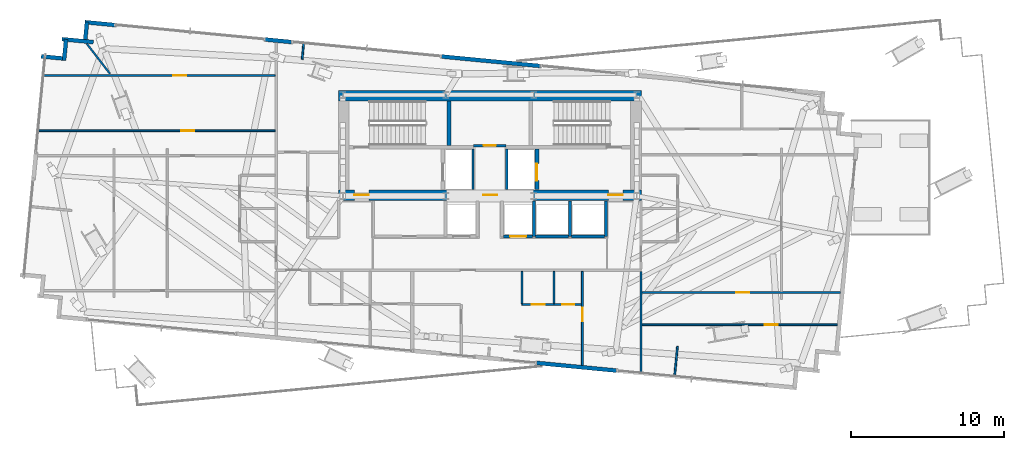
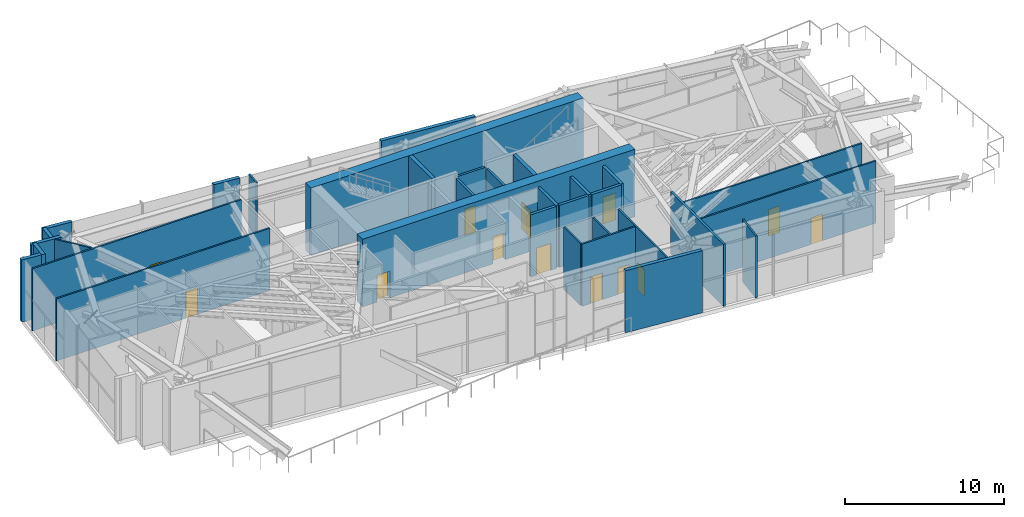
# One storey, part 18 of 23: 33 walls, 13 doors, 13 openings.
"""IFC4 building model written with IfcOpenShell, lengths in metres."""

from ifc_helpers import new_model, si_unit, direction, frame, frame_2d, origin, place, context, subcontext, project, spatial, rectangle, extrude, source, transform, mapped, material, layer, layer_set, type_object, type_shapes, element, fill, save


model = new_model("IFC4")

# Units and contexts
model_context = context("Model", 3, precision=1e-05, world=origin(), true_north=direction((0.0, 1.0)))
body_context = subcontext(model_context, "Body", "Model", "MODEL_VIEW")
ifc_project = project(units=[si_unit("LENGTHUNIT", "METRE"), si_unit("AREAUNIT", "SQUARE_METRE"), si_unit("VOLUMEUNIT", "CUBIC_METRE"), si_unit("PLANEANGLEUNIT", "RADIAN"), si_unit("MASSUNIT", "GRAM", prefix="KILO")], contexts=[model_context])

# Site, building, storey
site_placement = place(None, origin())
site = spatial("IfcSite", under=ifc_project, at=site_placement, CompositionType="ELEMENT")
building_placement = place(site_placement, origin())
building = spatial("IfcBuilding", under=site, at=building_placement, Name="Astriad Promenade Condominiums", CompositionType="ELEMENT")
storey_placement = place(building_placement, frame((0.0, 0.0, 119.39990234375)))
storey = spatial("IfcBuildingStorey", under=building, at=storey_placement, Name="L34", CompositionType="ELEMENT", Elevation=119.39990234375)

# Wall, openings, doors
ifc_material_1 = material(Name="Concrete C60/75", Category="concrete")
ifc_layer_1 = layer(ifc_material_1, 0.699951171875)
ifc_layer_set_1 = layer_set([ifc_layer_1], Name="Concrete C60/75")
wall_type_1 = type_object("IfcWallType", Name="CW-SHEAR-700", PredefinedType="SHEAR", material=ifc_layer_set_1)
wall_1_placement = place(storey_placement, frame((26.10009765625, 17.449951171875, 0.0), z_axis=(0.0, 0.0, 1.0), x_axis=(1.0, 0.0, 0.0)))
wall_1 = element("IfcWall", 1, at=wall_1_placement, inside=storey, type_object=wall_type_1, Name="CW-CORE-S-L34", PredefinedType="SHEAR", context=body_context, shape_type="SweptSolid", body=[
    extrude(rectangle(XDim=19.7998046875, YDim=0.699951171875, at=frame_2d((9.89990234375, 0.0))), origin(), (0.0, 0.0, 1.0), 5.2001953125),
])
opening_1_placement = place(wall_1_placement, frame((1.050048828125, 0.0, 0.0)))
opening_1 = element("IfcOpeningElement", 2, at=opening_1_placement, cuts=wall_1, Name="Opening FD90-ST-095", PredefinedType="OPENING", context=body_context, shape_type="SweptSolid", body=[
    extrude(rectangle(XDim=0.949951171875, YDim=2.06005859375, at=frame_2d((0.47509765625, 1.030029296875))), frame((0.0, 0.35986328125, 0.0), z_axis=(0.0, -1.0, 0.0), x_axis=(1.0, 0.0, 0.0)), (0.0, 0.0, 1.0), 0.719970703125),
])
opening_2_placement = place(wall_1_placement, frame((9.47998046875, 0.0, 0.0)))
opening_2 = element("IfcOpeningElement", 3, at=opening_2_placement, cuts=wall_1, Name="Opening FD60-CSL-090", PredefinedType="OPENING", context=body_context, shape_type="SweptSolid", body=[
    extrude(rectangle(XDim=0.89990234375, YDim=2.06005859375, at=frame_2d((0.449951171875, 1.030029296875))), frame((0.0, 0.35986328125, 0.0), z_axis=(0.0, -1.0, 0.0), x_axis=(1.0, 0.0, 0.0)), (0.0, 0.0, 1.0), 0.719970703125),
])
opening_3_placement = place(wall_1_placement, frame((17.64990234375, 0.0, 0.0)))
opening_3 = element("IfcOpeningElement", 4, at=opening_3_placement, cuts=wall_1, Name="Opening FD90-ST-095", PredefinedType="OPENING", context=body_context, shape_type="SweptSolid", body=[
    extrude(rectangle(XDim=0.949951171875, YDim=2.06005859375, at=frame_2d((0.47509765625, 1.030029296875))), frame((0.0, 0.35986328125, 0.0), z_axis=(0.0, -1.0, 0.0), x_axis=(1.0, 0.0, 0.0)), (0.0, 0.0, 1.0), 0.719970703125),
])
ifc_material_2 = material(Name="Fire-Rated Hollow Metal Stair Door")
door_type_1 = type_object("IfcDoorType", Name="FD90-ST-095", OperationType="NOTDEFINED", PredefinedType="DOOR", material=ifc_material_2)
shared_shape_1 = source(origin(), body_context, "Body", "SweptSolid", [
    extrude(rectangle(XDim=0.949951171875, YDim=2.06005859375, at=frame_2d((0.47509765625, 1.030029296875))), frame((0.0, 0.02490234375, 0.0), z_axis=(0.0, -1.0, 0.0), x_axis=(1.0, 0.0, 0.0)), (0.0, 0.0, 1.0), 0.050048828125),
])
type_shapes(door_type_1, [shared_shape_1])
door_1_placement = place(opening_1_placement, origin())
door_1 = element("IfcDoor", 5, at=door_1_placement, inside=storey, type_object=door_type_1, Name="D-FFW-L34", OperationType="SINGLE_SWING_LEFT", OverallHeight=2.06005859375, OverallWidth=0.949951171875, PredefinedType="DOOR", context=body_context, shape_type="MappedRepresentation", body=[
    mapped(shared_shape_1, transform((0.0, 0.0, 0.0), scale=1.0)),
])
fill(opening_1, door_1)
door_2_placement = place(opening_3_placement, origin())
door_2 = element("IfcDoor", 6, at=door_2_placement, inside=storey, type_object=door_type_1, Name="D-FFE-L34", OperationType="SINGLE_SWING_RIGHT", OverallHeight=2.06005859375, OverallWidth=0.949951171875, PredefinedType="DOOR", context=body_context, shape_type="MappedRepresentation", body=[
    mapped(shared_shape_1, transform((0.0, 0.0, 0.0), scale=1.0)),
])
fill(opening_3, door_2)
ifc_material_3 = material(Name="Fire-Rated Service Lobby Door")
door_type_2 = type_object("IfcDoorType", Name="FD60-CSL-090", OperationType="NOTDEFINED", PredefinedType="DOOR", material=ifc_material_3)
shared_shape_2 = source(origin(), body_context, "Body", "SweptSolid", [
    extrude(rectangle(XDim=0.89990234375, YDim=2.06005859375, at=frame_2d((0.449951171875, 1.030029296875))), frame((0.0, 0.02490234375, 0.0), z_axis=(0.0, -1.0, 0.0), x_axis=(1.0, 0.0, 0.0)), (0.0, 0.0, 1.0), 0.050048828125),
])
type_shapes(door_type_2, [shared_shape_2])
door_3_placement = place(opening_2_placement, origin())
door_3 = element("IfcDoor", 7, at=door_3_placement, inside=storey, type_object=door_type_2, Name="D-CSL-L34", OperationType="SINGLE_SWING_RIGHT", OverallHeight=2.06005859375, OverallWidth=0.89990234375, PredefinedType="DOOR", context=body_context, shape_type="MappedRepresentation", body=[
    mapped(shared_shape_2, transform((0.0, 0.0, 0.0), scale=1.0)),
])
fill(opening_2, door_3)

# Walls
wall_2_placement = place(storey_placement, frame((26.10009765625, 23.949951171875, 0.0), z_axis=(0.0, 0.0, 1.0), x_axis=(1.0, 0.0, 0.0)))
element("IfcWall", 8, at=wall_2_placement, inside=storey, type_object=wall_type_1, Name="CW-CORE-N-L34", PredefinedType="SHEAR", context=body_context, shape_type="SweptSolid", body=[
    extrude(rectangle(XDim=19.7998046875, YDim=0.699951171875, at=frame_2d((9.89990234375, 0.0))), origin(), (0.0, 0.0, 1.0), 5.2001953125),
])
ifc_material_4 = material(Name="Concrete C50/60", Category="concrete")
ifc_layer_2 = layer(ifc_material_4, 0.25)
ifc_layer_set_2 = layer_set([ifc_layer_2], Name="Concrete C50/60")
wall_type_2 = type_object("IfcWallType", Name="WALL-CORE-INT-250", PredefinedType="SOLIDWALL", material=ifc_layer_set_2)
wall_3_placement = place(storey_placement, frame((33.324951171875, 20.701904296875, 0.0), z_axis=(0.0, 0.0, 1.0), x_axis=(0.0, 1.0, 0.0)))
element("IfcWall", 9, at=wall_3_placement, inside=storey, type_object=wall_type_2, Name="CW-ST1-E-L34", PredefinedType="SOLIDWALL", context=body_context, shape_type="SweptSolid", body=[
    extrude(rectangle(XDim=2.89599609375, YDim=0.25, at=frame_2d((1.447998046875, 0.0))), origin(), (0.0, 0.0, 1.0), 5.2001953125),
])

# Wall, opening, door
wall_4_placement = place(storey_placement, frame((39.074951171875, 17.802001953125, 0.0), z_axis=(0.0, 0.0, 1.0), x_axis=(0.0, 1.0, 0.0)))
wall_4 = element("IfcWall", 10, at=wall_4_placement, inside=storey, type_object=wall_type_2, Name="CW-FFL2-E-L34", PredefinedType="SOLIDWALL", context=body_context, shape_type="SweptSolid", body=[
    extrude(rectangle(XDim=2.64599609375, YDim=0.25, at=frame_2d((1.322998046875, 0.0))), origin(), (0.0, 0.0, 1.0), 5.2001953125),
])
opening_4_placement = place(wall_4_placement, frame((0.597900390625, 0.0, 0.0)))
opening_4 = element("IfcOpeningElement", 11, at=opening_4_placement, cuts=wall_4, Name="Opening LD-FFL-1122", PredefinedType="OPENING", context=body_context, shape_type="SweptSolid", body=[
    extrude(rectangle(XDim=1.10009765625, YDim=2.080078125, at=frame_2d((0.550048828125, 1.0400390625))), frame((0.0, 0.135009765625, 0.0), z_axis=(0.0, -1.0, 0.0), x_axis=(1.0, 0.0, 0.0)), (0.0, 0.0, 1.0), 0.27001953125),
])
ifc_material_5 = material(Name="Brushed Stainless Steel Fire Elevator Landing Door", Category="steel")
door_type_3 = type_object("IfcDoorType", Name="LD-FFL-1122", OperationType="NOTDEFINED", PredefinedType="DOOR", material=ifc_material_5)
shared_shape_3 = source(origin(), body_context, "Body", "SweptSolid", [
    extrude(rectangle(XDim=1.10009765625, YDim=2.080078125, at=frame_2d((0.550048828125, 1.0400390625))), frame((0.0, 0.02490234375, 0.0), z_axis=(0.0, -1.0, 0.0), x_axis=(1.0, 0.0, 0.0)), (0.0, 0.0, 1.0), 0.050048828125),
])
type_shapes(door_type_3, [shared_shape_3])
door_4_placement = place(opening_4_placement, origin())
door_4 = element("IfcDoor", 12, at=door_4_placement, inside=storey, type_object=door_type_3, Name="Elevator Landing Door FFL-2 (L34)", OperationType="SLIDING_TO_RIGHT", OverallHeight=2.080078125, OverallWidth=1.10009765625, PredefinedType="DOOR", context=body_context, shape_type="MappedRepresentation", body=[
    mapped(shared_shape_3, transform((0.0, 0.0, 0.0), scale=1.0)),
])
fill(opening_4, door_4)

# Walls
ifc_material_6 = material(Name="Fire-Rated Gypsum Partition")
ifc_layer_3 = layer(ifc_material_6, 0.159912109375)
ifc_layer_set_3 = layer_set([ifc_layer_3], Name="Fire-Rated Gypsum Partition")
wall_type_3 = type_object("IfcWallType", Name="WALL-CORR-160", PredefinedType="PARTITIONING", material=ifc_layer_set_3)
for number, where, z_axis, x_axis, name in (
    (13, (34.89990234375, 17.802001953125, 0.0), (0.0, 0.0, 1.0), (0.0, 1.0, 0.0), "CW-FFL1-E-L34"),
    (14, (37.10009765625, 17.802001953125, 0.0), (0.0, 0.0, 1.0), (0.0, 1.0, 0.0), "CW-FFL2-W-L34"),
):
    element("IfcWall", number, at=place(storey_placement, frame(where, z_axis=z_axis, x_axis=x_axis)), inside=storey, type_object=wall_type_3, Name=name, PredefinedType="PARTITIONING", context=body_context, shape_type="SweptSolid", body=[
        extrude(rectangle(XDim=2.64599609375, YDim=0.159912109375, at=frame_2d((1.322998046875, 0.0))), origin(), (0.0, 0.0, 1.0), 4.780029296875),
    ])

# Wall, opening, door
wall_5_placement = place(storey_placement, frame((34.949951171875, 20.68994140625, 0.0), z_axis=(0.0, 0.0, 1.0), x_axis=(1.0, 0.0, 0.0)))
wall_5 = element("IfcWall", 15, at=wall_5_placement, inside=storey, type_object=wall_type_3, Name="CW-AUX-S-L34", PredefinedType="PARTITIONING", context=body_context, shape_type="SweptSolid", body=[
    extrude(rectangle(XDim=2.10009765625, YDim=0.159912109375, at=frame_2d((1.050048828125, 0.0))), origin(), (0.0, 0.0, 1.0), 4.780029296875),
])
opening_5_placement = place(wall_5_placement, frame((0.64990234375, 0.0, 0.0)))
opening_5 = element("IfcOpeningElement", 16, at=opening_5_placement, cuts=wall_5, Name="Opening FD60-SV-080", PredefinedType="OPENING", context=body_context, shape_type="SweptSolid", body=[
    extrude(rectangle(XDim=0.800048828125, YDim=2.050048828125, at=frame_2d((0.39990234375, 1.02490234375))), frame((0.0, 0.08984375, 0.0), z_axis=(0.0, -1.0, 0.0), x_axis=(1.0, 0.0, 0.0)), (0.0, 0.0, 1.0), 0.179931640625),
])
ifc_material_7 = material(Name="Fire-Rated Riser Closet Door")
door_type_4 = type_object("IfcDoorType", Name="FD60-SV-080", OperationType="NOTDEFINED", PredefinedType="DOOR", material=ifc_material_7)
shared_shape_4 = source(origin(), body_context, "Body", "SweptSolid", [
    extrude(rectangle(XDim=0.800048828125, YDim=2.050048828125, at=frame_2d((0.39990234375, 1.02490234375))), frame((0.0, 0.02490234375, 0.0), z_axis=(0.0, -1.0, 0.0), x_axis=(1.0, 0.0, 0.0)), (0.0, 0.0, 1.0), 0.050048828125),
])
type_shapes(door_type_4, [shared_shape_4])
door_5_placement = place(opening_5_placement, origin())
door_5 = element("IfcDoor", 17, at=door_5_placement, inside=storey, type_object=door_type_4, Name="D-AUX1-L34", OperationType="SINGLE_SWING_RIGHT", OverallHeight=2.050048828125, OverallWidth=0.800048828125, PredefinedType="DOOR", context=body_context, shape_type="MappedRepresentation", body=[
    mapped(shared_shape_4, transform((0.0, 0.0, 0.0), scale=1.0)),
])
fill(opening_5, door_5)

# Walls
wall_6_placement = place(storey_placement, frame((45.8798828125, 5.775634765625, 0.0), z_axis=(0.0, 0.0, 1.0), x_axis=(0.0, 1.0, 0.0)))
element("IfcWall", 18, at=wall_6_placement, inside=storey, type_object=wall_type_3, Name="PT-COR-E-L34", PredefinedType="PARTITIONING", context=body_context, shape_type="SweptSolid", body=[
    extrude(rectangle(XDim=6.6923828125, YDim=0.159912109375, at=frame_2d((3.34619140625, 0.0))), origin(), (0.0, 0.0, 1.0), 4.780029296875),
])
ifc_material_8 = material(Name="Precast concrete C50/60", Category="concrete")
ifc_layer_4 = layer(ifc_material_8, 0.260009765625)
ifc_layer_set_4 = layer_set([ifc_layer_4], Name="Precast concrete C50/60")
wall_type_4 = type_object("IfcWallType", Name="WALL-EXT-TWR-260", PredefinedType="STANDARD", material=ifc_layer_set_4)
wall_7_placement = place(storey_placement, frame((6.68115234375, 26.518310546875, 0.0), z_axis=(0.0, 0.0, 1.0), x_axis=(0.995389446633, -0.095915846097, 0.0)))
element("IfcWall", 19, at=wall_7_placement, inside=storey, type_object=wall_type_4, Name="W-SER-L34-04", PredefinedType="STANDARD", context=body_context, shape_type="SweptSolid", body=[
    extrude(rectangle(XDim=1.394775390625, YDim=0.260009765625, at=frame_2d((0.697265625, 0.0))), origin(), (0.0, 0.0, 1.0), 4.780029296875),
])
wall_8_placement = place(storey_placement, frame((8.171875, 26.243896484375, 0.0), z_axis=(0.0, 0.0, 1.0), x_axis=(0.095725744959, 0.99540774648, 0.0)))
element("IfcWall", 20, at=wall_8_placement, inside=storey, type_object=wall_type_4, Name="W-SER-L34-05", PredefinedType="STANDARD", context=body_context, shape_type="SweptSolid", body=[
    extrude(rectangle(XDim=1.39501953125, YDim=0.260009765625, at=frame_2d((0.697509765625, 0.0))), origin(), (0.0, 0.0, 1.0), 4.780029296875),
])
wall_9_placement = place(storey_placement, frame((8.045166015625, 27.642578125, 0.0), z_axis=(0.0, 0.0, 1.0), x_axis=(0.995401395194, -0.095791766065, 0.0)))
element("IfcWall", 21, at=wall_9_placement, inside=storey, type_object=wall_type_4, Name="W-SER-L34-06", PredefinedType="STANDARD", context=body_context, shape_type="SweptSolid", body=[
    extrude(rectangle(XDim=2.0517578125, YDim=0.260009765625, at=frame_2d((1.02587890625, 0.0))), origin(), (0.0, 0.0, 1.0), 4.780029296875),
])
wall_10_placement = place(storey_placement, frame((9.559326171875, 27.6123046875, 0.0), z_axis=(0.0, 0.0, 1.0), x_axis=(0.095971333708, 0.995384098279, 0.0)))
element("IfcWall", 22, at=wall_10_placement, inside=storey, type_object=wall_type_4, Name="W-SER-L34-07", PredefinedType="STANDARD", context=body_context, shape_type="SweptSolid", body=[
    extrude(rectangle(XDim=1.14990234375, YDim=0.260009765625, at=frame_2d((0.574951171875, 0.0))), origin(), (0.0, 0.0, 1.0), 4.780029296875),
])
wall_11_placement = place(storey_placement, frame((9.538818359375, 28.75439453125, 0.0), z_axis=(0.0, 0.0, 1.0), x_axis=(0.995397839199, -0.095828710298, 0.0)))
element("IfcWall", 23, at=wall_11_placement, inside=storey, type_object=wall_type_4, Name="W-SGCOL-L34-N-1", PredefinedType="STANDARD", context=body_context, shape_type="SweptSolid", body=[
    extrude(rectangle(XDim=2.0, YDim=0.260009765625, at=frame_2d((1.0, 0.0))), origin(), (0.0, 0.0, 1.0), 4.780029296875),
])
wall_12_placement = place(storey_placement, frame((21.284423828125, 27.62353515625, 0.0), z_axis=(0.0, 0.0, 1.0), x_axis=(0.995391866735, -0.09589072759, 0.0)))
element("IfcWall", 24, at=wall_12_placement, inside=storey, type_object=wall_type_4, Name="W-SGCOL-L34-N-2", PredefinedType="STANDARD", context=body_context, shape_type="SweptSolid", body=[
    extrude(rectangle(XDim=1.800048828125, YDim=0.260009765625, at=frame_2d((0.89990234375, 0.0))), origin(), (0.0, 0.0, 1.0), 4.780029296875),
])
wall_13_placement = place(storey_placement, frame((32.8310546875, 26.51171875, 0.0), z_axis=(0.0, 0.0, 1.0), x_axis=(0.995395138946, -0.095856754395, 0.0)))
element("IfcWall", 25, at=wall_13_placement, inside=storey, type_object=wall_type_4, Name="W-SGCOL-L34-N-3", PredefinedType="STANDARD", context=body_context, shape_type="SweptSolid", body=[
    extrude(rectangle(XDim=6.510009765625, YDim=0.260009765625, at=frame_2d((3.2548828125, 0.0))), origin(), (0.0, 0.0, 1.0), 4.780029296875),
])
wall_14_placement = place(storey_placement, frame((44.315673828125, 5.9765625, 0.0), z_axis=(0.0, 0.0, 1.0), x_axis=(-0.995394924002, 0.095858986388, 0.0)))
element("IfcWall", 26, at=wall_14_placement, inside=storey, type_object=wall_type_4, Name="W-SGCOL-L34-S-2", PredefinedType="STANDARD", context=body_context, shape_type="SweptSolid", body=[
    extrude(rectangle(XDim=5.300048828125, YDim=0.260009765625, at=frame_2d((2.64990234375, 0.0))), origin(), (0.0, 0.0, 1.0), 4.780029296875),
])

# Wall, opening, door
ifc_material_9 = material(Name="Acoustic Metal-Stud Gypsum Partition")
ifc_layer_5 = layer(ifc_material_9, 0.1201171875)
ifc_layer_set_5 = layer_set([ifc_layer_5], Name="Acoustic Metal-Stud Gypsum Partition")
wall_type_5 = type_object("IfcWallType", Name="WALL-PART-120", PredefinedType="PARTITIONING", material=ifc_layer_set_5)
wall_15_placement = place(storey_placement, frame((42.050048828125, 6.327392578125, 0.0), z_axis=(0.0, 0.0, 1.0), x_axis=(0.0, 1.0, 0.0)))
wall_15 = element("IfcWall", 27, at=wall_15_placement, inside=storey, type_object=wall_type_5, Name="PT-L34-S2-BD1", PredefinedType="PARTITIONING", context=body_context, shape_type="SweptSolid", body=[
    extrude(rectangle(XDim=6.140625, YDim=0.1201171875, at=frame_2d((3.0703125, 0.0))), origin(), (0.0, 0.0, 1.0), 4.780029296875),
])
opening_6_placement = place(wall_15_placement, frame((2.872802734375, 0.0, 0.0)))
opening_6 = element("IfcOpeningElement", 28, at=opening_6_placement, cuts=wall_15, Name="Opening D-INT-090", PredefinedType="OPENING", context=body_context, shape_type="SweptSolid", body=[
    extrude(rectangle(XDim=0.89990234375, YDim=2.050048828125, at=frame_2d((0.449951171875, 1.02490234375))), frame((0.0, 0.070068359375, 0.0), z_axis=(0.0, -1.0, 0.0), x_axis=(1.0, 0.0, 0.0)), (0.0, 0.0, 1.0), 0.14013671875),
])
ifc_material_10 = material(Name="Painted Solid-Core Timber Bedroom Door", Category="wood")
door_type_5 = type_object("IfcDoorType", Name="D-INT-090", OperationType="NOTDEFINED", PredefinedType="DOOR", material=ifc_material_10)
shared_shape_5 = source(origin(), body_context, "Body", "SweptSolid", [
    extrude(rectangle(XDim=0.89990234375, YDim=2.050048828125, at=frame_2d((0.449951171875, 1.02490234375))), frame((0.0, 0.02490234375, 0.0), z_axis=(0.0, -1.0, 0.0), x_axis=(1.0, 0.0, 0.0)), (0.0, 0.0, 1.0), 0.050048828125),
])
type_shapes(door_type_5, [shared_shape_5])
door_6_placement = place(opening_6_placement, origin())
door_6 = element("IfcDoor", 29, at=door_6_placement, inside=storey, type_object=door_type_5, Name="D-BD1-L34-S2", OperationType="SINGLE_SWING_LEFT", OverallHeight=2.050048828125, OverallWidth=0.89990234375, PredefinedType="DOOR", context=body_context, shape_type="MappedRepresentation", body=[
    mapped(shared_shape_5, transform((0.0, 0.0, 0.0), scale=1.0)),
])
fill(opening_6, door_6)

# Wall, openings, doors
wall_16_placement = place(storey_placement, frame((38.10009765625, 10.300048828125, 0.0), z_axis=(0.0, 0.0, 1.0), x_axis=(1.0, 0.0, 0.0)))
wall_16 = element("IfcWall", 30, at=wall_16_placement, inside=storey, type_object=wall_type_5, Name="PT-L34-S2-PS", PredefinedType="PARTITIONING", context=body_context, shape_type="SweptSolid", body=[
    extrude(rectangle(XDim=3.887939453125, YDim=0.1201171875, at=frame_2d((1.94384765625, 0.0))), origin(), (0.0, 0.0, 1.0), 4.780029296875),
])
opening_7_placement = place(wall_16_placement, frame((0.625, 0.0, 0.0)))
opening_7 = element("IfcOpeningElement", 31, at=opening_7_placement, cuts=wall_16, Name="Opening D-INT-085", PredefinedType="OPENING", context=body_context, shape_type="SweptSolid", body=[
    extrude(rectangle(XDim=0.85009765625, YDim=2.050048828125, at=frame_2d((0.425048828125, 1.02490234375))), frame((0.0, 0.070068359375, 0.0), z_axis=(0.0, -1.0, 0.0), x_axis=(1.0, 0.0, 0.0)), (0.0, 0.0, 1.0), 0.14013671875),
])
opening_8_placement = place(wall_16_placement, frame((2.625, 0.0, 0.0)))
opening_8 = element("IfcOpeningElement", 32, at=opening_8_placement, cuts=wall_16, Name="Opening D-WET-080", PredefinedType="OPENING", context=body_context, shape_type="SweptSolid", body=[
    extrude(rectangle(XDim=0.800048828125, YDim=2.02001953125, at=frame_2d((0.39990234375, 1.010009765625))), frame((0.0, 0.070068359375, 0.0), z_axis=(0.0, -1.0, 0.0), x_axis=(1.0, 0.0, 0.0)), (0.0, 0.0, 1.0), 0.14013671875),
])
ifc_material_11 = material(Name="Moisture-Resistant Timber Bathroom Door", Category="wood")
door_type_6 = type_object("IfcDoorType", Name="D-WET-080", OperationType="NOTDEFINED", PredefinedType="DOOR", material=ifc_material_11)
shared_shape_6 = source(origin(), body_context, "Body", "SweptSolid", [
    extrude(rectangle(XDim=0.800048828125, YDim=2.02001953125, at=frame_2d((0.39990234375, 1.010009765625))), frame((0.0, 0.02490234375, 0.0), z_axis=(0.0, -1.0, 0.0), x_axis=(1.0, 0.0, 0.0)), (0.0, 0.0, 1.0), 0.050048828125),
])
type_shapes(door_type_6, [shared_shape_6])
door_7_placement = place(opening_8_placement, origin())
door_7 = element("IfcDoor", 33, at=door_7_placement, inside=storey, type_object=door_type_6, Name="D-BTH-L34-S2", OperationType="SINGLE_SWING_LEFT", OverallHeight=2.02001953125, OverallWidth=0.800048828125, PredefinedType="DOOR", context=body_context, shape_type="MappedRepresentation", body=[
    mapped(shared_shape_6, transform((0.0, 0.0, 0.0), scale=1.0)),
])
fill(opening_8, door_7)
ifc_material_12 = material(Name="Painted Solid-Core Timber Room Door", Category="wood")
door_type_7 = type_object("IfcDoorType", Name="D-INT-085", OperationType="NOTDEFINED", PredefinedType="DOOR", material=ifc_material_12)
shared_shape_7 = source(origin(), body_context, "Body", "SweptSolid", [
    extrude(rectangle(XDim=0.85009765625, YDim=2.050048828125, at=frame_2d((0.425048828125, 1.02490234375))), frame((0.0, 0.02490234375, 0.0), z_axis=(0.0, -1.0, 0.0), x_axis=(1.0, 0.0, 0.0)), (0.0, 0.0, 1.0), 0.050048828125),
])
type_shapes(door_type_7, [shared_shape_7])
door_8_placement = place(opening_7_placement, origin())
door_8 = element("IfcDoor", 34, at=door_8_placement, inside=storey, type_object=door_type_7, Name="D-KIT-L34-S2", OperationType="SINGLE_SWING_RIGHT", OverallHeight=2.050048828125, OverallWidth=0.85009765625, PredefinedType="DOOR", context=body_context, shape_type="MappedRepresentation", body=[
    mapped(shared_shape_7, transform((0.0, 0.0, 0.0), scale=1.0)),
])
fill(opening_7, door_8)

# Walls
for number, where, z_axis, x_axis, name in (
    (35, (40.199951171875, 10.362060546875, 0.0), (0.0, 0.0, 1.0), (0.0, 1.0, 0.0), "PT-L34-S2-PBK"),
    (36, (38.10009765625, 10.362060546875, 0.0), (0.0, 0.0, 1.0), (0.0, 1.0, 0.0), "PT-L34-S2-PKW"),
):
    element("IfcWall", number, at=place(storey_placement, frame(where, z_axis=z_axis, x_axis=x_axis)), inside=storey, type_object=wall_type_5, Name=name, PredefinedType="PARTITIONING", context=body_context, shape_type="SweptSolid", body=[
        extrude(rectangle(XDim=2.10595703125, YDim=0.1201171875, at=frame_2d((1.052978515625, 0.0))), origin(), (0.0, 0.0, 1.0), 4.780029296875),
    ])

# Wall, opening, door
wall_17_placement = place(storey_placement, frame((6.771728515625, 25.26806640625, 0.0), z_axis=(0.0, 0.0, 1.0), x_axis=(1.0, 0.0, 0.0)))
wall_17 = element("IfcWall", 37, at=wall_17_placement, inside=storey, type_object=wall_type_5, Name="PT-L34-W1-B1", PredefinedType="PARTITIONING", context=body_context, shape_type="SweptSolid", body=[
    extrude(rectangle(XDim=15.1962890625, YDim=0.1201171875, at=frame_2d((7.59814453125, 0.0))), origin(), (0.0, 0.0, 1.0), 4.780029296875),
])
opening_9_placement = place(wall_17_placement, frame((8.5361328125, 0.0, 0.0)))
opening_9 = element("IfcOpeningElement", 38, at=opening_9_placement, cuts=wall_17, Name="Opening D-INT-085", PredefinedType="OPENING", context=body_context, shape_type="SweptSolid", body=[
    extrude(rectangle(XDim=0.85009765625, YDim=2.050048828125, at=frame_2d((0.425048828125, 1.02490234375))), frame((0.0, 0.070068359375, 0.0), z_axis=(0.0, -1.0, 0.0), x_axis=(1.0, 0.0, 0.0)), (0.0, 0.0, 1.0), 0.14013671875),
])
door_9_placement = place(opening_9_placement, origin())
door_9 = element("IfcDoor", 39, at=door_9_placement, inside=storey, type_object=door_type_7, Name="D-BD1-L34-W1", OperationType="SINGLE_SWING_LEFT", OverallHeight=2.050048828125, OverallWidth=0.85009765625, PredefinedType="DOOR", context=body_context, shape_type="MappedRepresentation", body=[
    mapped(shared_shape_7, transform((0.0, 0.0, 0.0), scale=1.0)),
])
fill(opening_9, door_9)

wall_18_placement = place(storey_placement, frame((6.424072265625, 21.656005859375, 0.0), z_axis=(0.0, 0.0, 1.0), x_axis=(1.0, 0.0, 0.0)))
wall_18 = element("IfcWall", 40, at=wall_18_placement, inside=storey, type_object=wall_type_5, Name="PT-L34-W1-WDN1", PredefinedType="PARTITIONING", context=body_context, shape_type="SweptSolid", body=[
    extrude(rectangle(XDim=15.5439453125, YDim=0.1201171875, at=frame_2d((7.77197265625, 0.0))), origin(), (0.0, 0.0, 1.0), 4.780029296875),
])
opening_10_placement = place(wall_18_placement, frame((9.422119140625, 0.0, 0.0)))
opening_10 = element("IfcOpeningElement", 41, at=opening_10_placement, cuts=wall_18, Name="Opening D-INT-085", PredefinedType="OPENING", context=body_context, shape_type="SweptSolid", body=[
    extrude(rectangle(XDim=0.85009765625, YDim=2.050048828125, at=frame_2d((0.425048828125, 1.02490234375))), frame((0.0, 0.070068359375, 0.0), z_axis=(0.0, -1.0, 0.0), x_axis=(1.0, 0.0, 0.0)), (0.0, 0.0, 1.0), 0.14013671875),
])
door_10_placement = place(opening_10_placement, origin())
door_10 = element("IfcDoor", 42, at=door_10_placement, inside=storey, type_object=door_type_7, Name="D-WDN1-L34-W1", OperationType="SINGLE_SWING_LEFT", OverallHeight=2.050048828125, OverallWidth=0.85009765625, PredefinedType="DOOR", context=body_context, shape_type="MappedRepresentation", body=[
    mapped(shared_shape_7, transform((0.0, 0.0, 0.0), scale=1.0)),
])
fill(opening_10, door_10)

wall_19_placement = place(storey_placement, frame((45.9619140625, 8.98193359375, 0.0), z_axis=(0.0, 0.0, 1.0), x_axis=(1.0, 0.0, 0.0)))
wall_19 = element("IfcWall", 43, at=wall_19_placement, inside=storey, type_object=wall_type_5, Name="PT-L34-E1-WDS1", PredefinedType="PARTITIONING", context=body_context, shape_type="SweptSolid", body=[
    extrude(rectangle(XDim=12.74609375, YDim=0.1201171875, at=frame_2d((6.373046875, 0.0))), origin(), (0.0, 0.0, 1.0), 4.780029296875),
])
opening_11_placement = place(wall_19_placement, frame((8.02001953125, 0.0, 0.0)))
opening_11 = element("IfcOpeningElement", 44, at=opening_11_placement, cuts=wall_19, Name="Opening D-INT-085", PredefinedType="OPENING", context=body_context, shape_type="SweptSolid", body=[
    extrude(rectangle(XDim=0.85009765625, YDim=2.050048828125, at=frame_2d((0.425048828125, 1.02490234375))), frame((0.0, 0.070068359375, 0.0), z_axis=(0.0, -1.0, 0.0), x_axis=(1.0, 0.0, 0.0)), (0.0, 0.0, 1.0), 0.14013671875),
])
door_11_placement = place(opening_11_placement, origin())
door_11 = element("IfcDoor", 45, at=door_11_placement, inside=storey, type_object=door_type_7, Name="D-WDS1-L34-E1", OperationType="SINGLE_SWING_RIGHT", OverallHeight=2.050048828125, OverallWidth=0.85009765625, PredefinedType="DOOR", context=body_context, shape_type="MappedRepresentation", body=[
    mapped(shared_shape_7, transform((0.0, 0.0, 0.0), scale=1.0)),
])
fill(opening_11, door_11)

wall_20_placement = place(storey_placement, frame((45.9619140625, 11.0810546875, 0.0), z_axis=(0.0, 0.0, 1.0), x_axis=(1.0, 0.0, 0.0)))
wall_20 = element("IfcWall", 46, at=wall_20_placement, inside=storey, type_object=wall_type_5, Name="PT-L34-E1-WDS2", PredefinedType="PARTITIONING", context=body_context, shape_type="SweptSolid", body=[
    extrude(rectangle(XDim=12.947998046875, YDim=0.1201171875, at=frame_2d((6.47412109375, 0.0))), origin(), (0.0, 0.0, 1.0), 4.780029296875),
])
opening_12_placement = place(wall_20_placement, frame((6.14697265625, 0.0, 0.0)))
opening_12 = element("IfcOpeningElement", 47, at=opening_12_placement, cuts=wall_20, Name="Opening D-INT-085", PredefinedType="OPENING", context=body_context, shape_type="SweptSolid", body=[
    extrude(rectangle(XDim=0.85009765625, YDim=2.050048828125, at=frame_2d((0.425048828125, 1.02490234375))), frame((0.0, 0.070068359375, 0.0), z_axis=(0.0, -1.0, 0.0), x_axis=(1.0, 0.0, 0.0)), (0.0, 0.0, 1.0), 0.14013671875),
])
door_12_placement = place(opening_12_placement, origin())
door_12 = element("IfcDoor", 48, at=door_12_placement, inside=storey, type_object=door_type_7, Name="D-WDS2-L34-E1", OperationType="SINGLE_SWING_LEFT", OverallHeight=2.050048828125, OverallWidth=0.85009765625, PredefinedType="DOOR", context=body_context, shape_type="MappedRepresentation", body=[
    mapped(shared_shape_7, transform((0.0, 0.0, 0.0), scale=1.0)),
])
fill(opening_12, door_12)

# Walls
wall_21_placement = place(storey_placement, frame((48.266357421875, 7.563720703125, 0.0), z_axis=(0.0, 0.0, 1.0), x_axis=(-0.095904643432, -0.995390526059, 0.0)))
element("IfcWall", 49, at=wall_21_placement, inside=storey, type_object=wall_type_5, Name="PT-PIL-L34-PC04-11", PredefinedType="PARTITIONING", context=body_context, shape_type="SweptSolid", body=[
    extrude(rectangle(XDim=2.008544921875, YDim=0.1201171875, at=frame_2d((1.00439453125, 0.0))), origin(), (0.0, 0.0, 1.0), 4.780029296875),
])
wall_22_placement = place(storey_placement, frame((11.171875, 25.38671875, 0.0), z_axis=(0.0, 0.0, 1.0), x_axis=(-0.611369296281, 0.791345426198, 0.0)))
element("IfcWall", 50, at=wall_22_placement, inside=storey, type_object=wall_type_5, Name="PT-PIL-L34-PC06-13", PredefinedType="PARTITIONING", context=body_context, shape_type="SweptSolid", body=[
    extrude(rectangle(XDim=2.48779296875, YDim=0.1201171875, at=frame_2d((1.243896484375, 0.0))), origin(), (0.0, 0.0, 1.0), 4.780029296875),
])
wall_23_placement = place(storey_placement, frame((23.733642578125, 26.314208984375, 0.0), z_axis=(0.0, 0.0, 1.0), x_axis=(0.095828869448, 0.995397823878, 0.0)))
element("IfcWall", 51, at=wall_23_placement, inside=storey, type_object=wall_type_5, Name="PT-PIL-L34-PC07-14", PredefinedType="PARTITIONING", context=body_context, shape_type="SweptSolid", body=[
    extrude(rectangle(XDim=1.118408203125, YDim=0.1201171875, at=frame_2d((0.55908203125, 0.0))), origin(), (0.0, 0.0, 1.0), 4.780029296875),
])
ifc_material_13 = material(Name="Gypsum Shaftliner Assembly")
ifc_layer_6 = layer(ifc_material_13, 0.199951171875)
ifc_layer_set_6 = layer_set([ifc_layer_6], Name="Gypsum Shaftliner Assembly")
wall_type_6 = type_object("IfcWallType", Name="WALL-SHAFT-200", PredefinedType="PARTITIONING", material=ifc_layer_set_6)
wall_24_placement = place(storey_placement, frame((38.89990234375, 14.75, 0.0), z_axis=(0.0, 0.0, 1.0), x_axis=(0.0, 1.0, 0.0)))
element("IfcWall", 52, at=wall_24_placement, inside=storey, type_object=wall_type_6, Name="PL-MH-DIV-L34", PredefinedType="PARTITIONING", context=body_context, shape_type="SweptSolid", body=[
    extrude(rectangle(XDim=2.300048828125, YDim=0.199951171875, at=frame_2d((1.14990234375, 0.0))), origin(), (0.0, 0.0, 1.0), 4.780029296875),
])

# Wall, opening, door
wall_25_placement = place(storey_placement, frame((36.902099609375, 14.75, 0.0), z_axis=(0.0, 0.0, 1.0), x_axis=(1.0, 0.0, 0.0)))
wall_25 = element("IfcWall", 53, at=wall_25_placement, inside=storey, type_object=wall_type_6, Name="PL-M2-F-L34", PredefinedType="PARTITIONING", context=body_context, shape_type="SweptSolid", body=[
    extrude(rectangle(XDim=1.89599609375, YDim=0.199951171875, at=frame_2d((0.947998046875, 0.0))), origin(), (0.0, 0.0, 1.0), 4.780029296875),
])
opening_13_placement = place(wall_25_placement, frame((0.423095703125, 0.0, 0.0)))
opening_13 = element("IfcOpeningElement", 54, at=opening_13_placement, cuts=wall_25, Name="Opening LD-PL-10522", PredefinedType="OPENING", context=body_context, shape_type="SweptSolid", body=[
    extrude(rectangle(XDim=1.050048828125, YDim=2.080078125, at=frame_2d((0.52490234375, 1.0400390625))), frame((0.0, 0.10986328125, 0.0), z_axis=(0.0, -1.0, 0.0), x_axis=(1.0, 0.0, 0.0)), (0.0, 0.0, 1.0), 0.219970703125),
])
ifc_material_14 = material(Name="Brushed Bronze Passenger Elevator Landing Door")
door_type_8 = type_object("IfcDoorType", Name="LD-PL-10522", OperationType="NOTDEFINED", PredefinedType="DOOR", material=ifc_material_14)
shared_shape_8 = source(origin(), body_context, "Body", "SweptSolid", [
    extrude(rectangle(XDim=1.050048828125, YDim=2.080078125, at=frame_2d((0.52490234375, 1.0400390625))), frame((0.0, 0.02490234375, 0.0), z_axis=(0.0, -1.0, 0.0), x_axis=(1.0, 0.0, 0.0)), (0.0, 0.0, 1.0), 0.050048828125),
])
type_shapes(door_type_8, [shared_shape_8])
door_13_placement = place(opening_13_placement, origin())
door_13 = element("IfcDoor", 55, at=door_13_placement, inside=storey, type_object=door_type_8, Name="Elevator Landing Door PL-M2 (L34)", OperationType="SLIDING_TO_RIGHT", OverallHeight=2.080078125, OverallWidth=1.050048828125, PredefinedType="DOOR", context=body_context, shape_type="MappedRepresentation", body=[
    mapped(shared_shape_8, transform((0.0, 0.0, 0.0), scale=1.0)),
])
fill(opening_13, door_13)

# Walls
for number, where, z_axis, x_axis, name in (
    (56, (41.25, 14.75, 0.0), (0.0, 0.0, 1.0), (0.0, 1.0, 0.0), "PL-H-DIV-L34"),
    (57, (43.60009765625, 14.75, 0.0), (0.0, 0.0, 1.0), (0.0, 1.0, 0.0), "PL-E-OUT-L34"),
):
    element("IfcWall", number, at=place(storey_placement, frame(where, z_axis=z_axis, x_axis=x_axis)), inside=storey, type_object=wall_type_6, Name=name, PredefinedType="PARTITIONING", context=body_context, shape_type="SweptSolid", body=[
        extrude(rectangle(XDim=2.300048828125, YDim=0.199951171875, at=frame_2d((1.14990234375, 0.0))), origin(), (0.0, 0.0, 1.0), 4.780029296875),
    ])
for number, where, z_axis, x_axis, name in (
    (58, (39.001953125, 14.75, 0.0), (0.0, 0.0, 1.0), (1.0, 0.0, 0.0), "PL-H-FRT-L34"),
    (59, (41.35205078125, 14.75, 0.0), (0.0, 0.0, 1.0), (1.0, 0.0, 0.0), "PL-H-FRT-L34-S2"),
):
    element("IfcWall", number, at=place(storey_placement, frame(where, z_axis=z_axis, x_axis=x_axis)), inside=storey, type_object=wall_type_6, Name=name, PredefinedType="PARTITIONING", context=body_context, shape_type="SweptSolid", body=[
        extrude(rectangle(XDim=2.14599609375, YDim=0.199951171875, at=frame_2d((1.072998046875, 0.0))), origin(), (0.0, 0.0, 1.0), 4.780029296875),
    ])

save(model, "model.ifc")
